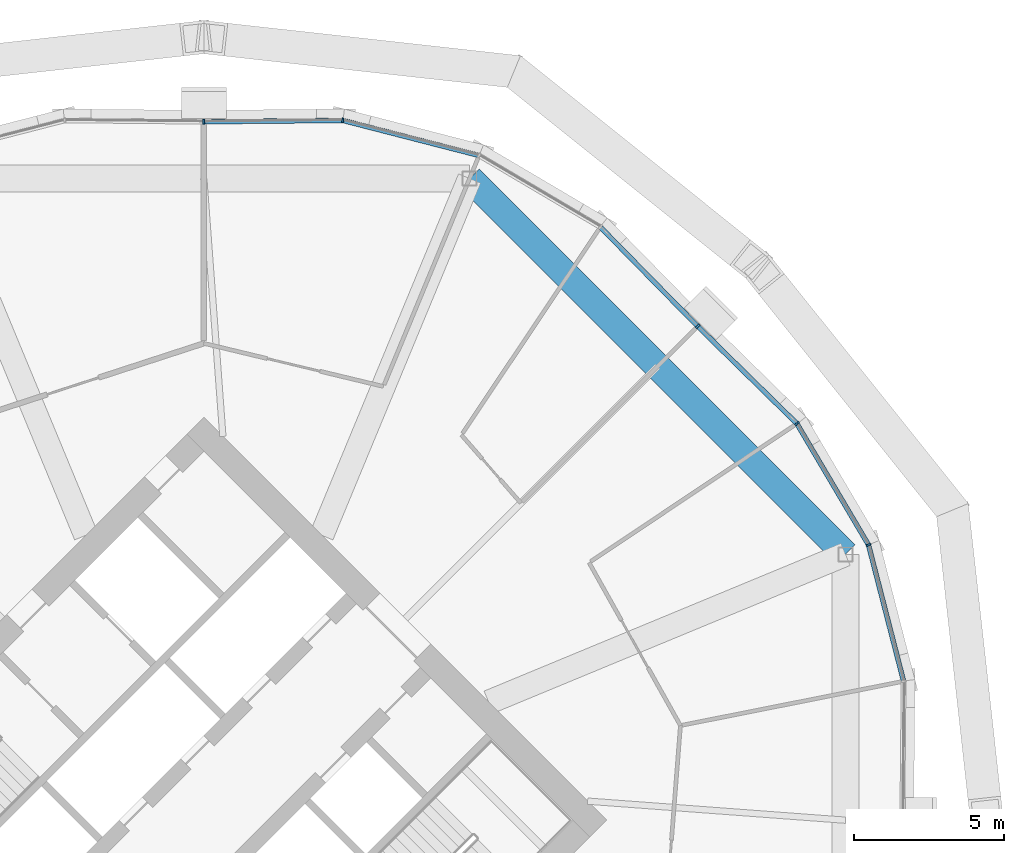
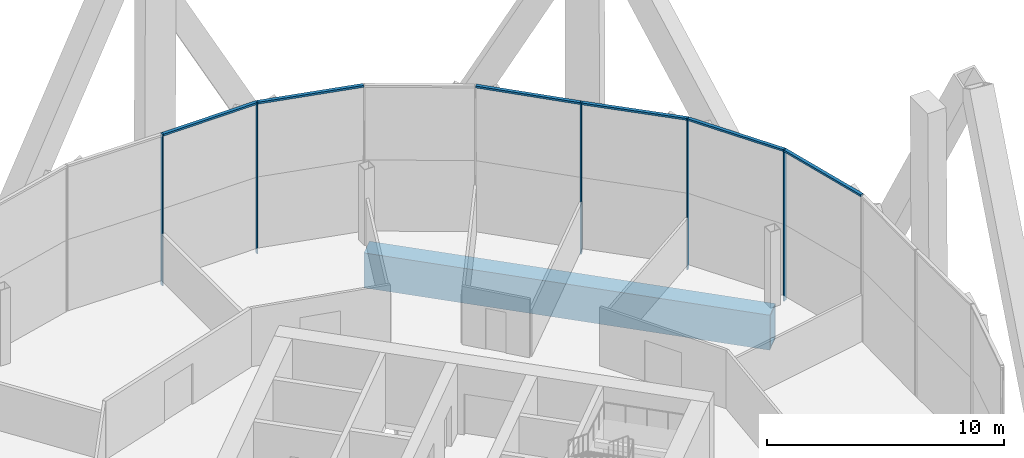
# One storey, part 16 of 30: 11 members, 1 beam, 2 elements without a shape of their own.
"""IFC4 building model written with IfcOpenShell, lengths in metres."""

from ifc_helpers import new_model, si_unit, direction, frame, origin, origin_2d, place, context, subcontext, project, spatial, rectangle, hollow_rectangle, extrude, material, material_profile, profile_set, type_object, element, aggregate, save


model = new_model("IFC4")

# Units and contexts
model_context = context("Model", 3, precision=1e-05, world=origin(), true_north=direction((0.0, 1.0)))
body_context = subcontext(model_context, "Body", "Model", "MODEL_VIEW")
ifc_project = project(units=[si_unit("LENGTHUNIT", "METRE"), si_unit("AREAUNIT", "SQUARE_METRE"), si_unit("VOLUMEUNIT", "CUBIC_METRE"), si_unit("PLANEANGLEUNIT", "RADIAN"), si_unit("MASSUNIT", "GRAM", prefix="KILO")], contexts=[model_context])

# Site, building, storey
site_placement = place(None, origin())
site = spatial("IfcSite", under=ifc_project, at=site_placement, CompositionType="ELEMENT")
building_placement = place(site_placement, origin())
building = spatial("IfcBuilding", under=site, at=building_placement, Name="Ogive Gate Towers", CompositionType="ELEMENT")
storey_placement = place(building_placement, frame((0.0, 0.0, 99.60009765625)))
storey = spatial("IfcBuildingStorey", under=building, at=storey_placement, Name="L23", CompositionType="ELEMENT", Elevation=99.60009765625)

# Beam
ifc_material_1 = material(Name="Steel SM460", Category="steel")
ifc_material_profile_1 = material_profile(ifc_material_1, hollow_rectangle(XDim=0.89990234375, YDim=1.800048828125, WallThickness=0.080078125, at=origin_2d()), Name="BX 1800x900x80")
ifc_profile_set_1 = profile_set([ifc_material_profile_1], Name="Steel SM460")
beam_type = type_object("IfcBeamType", Name="Edge girder BX 1800x900x80", PredefinedType="BEAM", material=ifc_profile_set_1)
beam_placement = place(storey_placement, frame((57.39697265625, 8.863037109375, -1.2001953125), z_axis=(-0.707106781187, 0.707106781187, 0.0), x_axis=(-0.707106781187, -0.707106781187, 0.0)))
element("IfcBeam", 1, at=beam_placement, inside=storey, type_object=beam_type, Name="T2/L23/SBM021", PredefinedType="BEAM", context=body_context, shape_type="SweptSolid", body=[
    extrude(hollow_rectangle(XDim=0.89990234375, YDim=1.800048828125, WallThickness=0.080078125, at=origin_2d()), origin(), (0.0, 0.0, 1.0), 17.7255859375),
])

# Curtain wall, members
ifc_material_2 = material(Name="Pale metal aluminium", Category="aluminium")
curtain_wall_type = type_object("IfcCurtainWallType", Name="Tower unitised wall, low zone", PredefinedType="NOTDEFINED", material=ifc_material_2)
curtain_wall_1_placement = place(storey_placement, origin())
curtain_wall_1 = element("IfcCurtainWall", 2, at=curtain_wall_1_placement, inside=storey, type_object=curtain_wall_type, Name="CW1 T2 ECW01", PredefinedType="NOTDEFINED")
ifc_material_profile_2 = material_profile(ifc_material_2, rectangle(XDim=0.159912109375, YDim=0.06005859375, at=origin_2d()), Name="60 x 160 aluminium box")
ifc_profile_set_2 = profile_set([ifc_material_profile_2], Name="Pale metal aluminium")
member_type_1 = type_object("IfcMemberType", Name="Tower unitised wall, low zone mullion 60 x 160", PredefinedType="MULLION", material=ifc_profile_set_2)
member_1_placement = place(storey_placement, frame((58.164794921875, 9.180908203125, -0.300048828125), z_axis=(0.0, 0.0, 1.0), x_axis=(0.923879532511, 0.382683432365, 0.0)))
member_1 = element("IfcMember", 3, at=member_1_placement, type_object=member_type_1, Name="CW1 mullion", PredefinedType="MULLION", context=body_context, shape_type="SweptSolid", body=[
    extrude(rectangle(XDim=0.159912109375, YDim=0.06005859375, at=origin_2d()), origin(), (0.0, 0.0, 1.0), 7.800048828125),
])
member_2_placement = place(storey_placement, frame((55.77783203125, 13.222412109375, -0.300048828125), z_axis=(0.0, 0.0, 1.0), x_axis=(0.787387121413, 0.616458855912, 0.0)))
member_2 = element("IfcMember", 4, at=member_2_placement, type_object=member_type_1, Name="CW1 mullion", PredefinedType="MULLION", context=body_context, shape_type="SweptSolid", body=[
    extrude(rectangle(XDim=0.159912109375, YDim=0.06005859375, at=origin_2d()), origin(), (0.0, 0.0, 1.0), 7.800048828125),
])
member_3_placement = place(storey_placement, frame((52.46875, 16.468505859375, -0.300048828125), z_axis=(0.0, 0.0, 1.0), x_axis=(0.700299028189, 0.713849613797, 0.0)))
member_3 = element("IfcMember", 5, at=member_3_placement, type_object=member_type_1, Name="CW1 mullion", PredefinedType="MULLION", context=body_context, shape_type="SweptSolid", body=[
    extrude(rectangle(XDim=0.159912109375, YDim=0.06005859375, at=origin_2d()), origin(), (0.0, 0.0, 1.0), 7.800048828125),
])

curtain_wall_2_placement = place(storey_placement, origin())
curtain_wall_2 = element("IfcCurtainWall", 6, at=curtain_wall_2_placement, inside=storey, type_object=curtain_wall_type, Name="CW1 T2 ECW02", PredefinedType="NOTDEFINED")
member_4_placement = place(storey_placement, frame((40.635498046875, 23.334716796875, -0.300048828125), z_axis=(0.0, 0.0, 1.0), x_axis=(0.120847210271, 0.992671119641, 0.0)))
member_4 = element("IfcMember", 7, at=member_4_placement, type_object=member_type_1, Name="CW1 mullion", PredefinedType="MULLION", context=body_context, shape_type="SweptSolid", body=[
    extrude(rectangle(XDim=0.159912109375, YDim=0.06005859375, at=origin_2d()), origin(), (0.0, 0.0, 1.0), 7.800048828125),
])
member_5_placement = place(storey_placement, frame((36.000244140625, 23.2900390625, -0.300048828125), z_axis=(0.0, 0.0, 1.0), x_axis=(-0.009599163462, 0.999953926969, 0.0)))
member_5 = element("IfcMember", 8, at=member_5_placement, type_object=member_type_1, Name="CW1 mullion", PredefinedType="MULLION", context=body_context, shape_type="SweptSolid", body=[
    extrude(rectangle(XDim=0.159912109375, YDim=0.06005859375, at=origin_2d()), origin(), (0.0, 0.0, 1.0), 7.800048828125),
])

# Member
ifc_material_profile_3 = material_profile(ifc_material_2, rectangle(XDim=0.159912109375, YDim=0.10009765625, at=origin_2d()), Name="100 x 160 aluminium box")
ifc_profile_set_3 = profile_set([ifc_material_profile_3], Name="Pale metal aluminium")
member_type_2 = type_object("IfcMemberType", Name="Tower unitised wall, low zone transom 100 x 160", PredefinedType="USERDEFINED", material=ifc_profile_set_3)
member_6_placement = place(storey_placement, frame((59.32763671875, 4.661865234375, 7.449951171875), z_axis=(-0.249241307087, 0.968441413221, 0.0), x_axis=(-0.968441413221, -0.249241307087, 0.0)))
member_6 = element("IfcMember", 9, at=member_6_placement, type_object=member_type_2, Name="CW1 transom", ObjectType="TRANSOM", PredefinedType="USERDEFINED", context=body_context, shape_type="SweptSolid", body=[
    extrude(rectangle(XDim=0.159912109375, YDim=0.10009765625, at=origin_2d()), origin(), (0.0, 0.0, 1.0), 4.63916015625),
])

member_7_placement = place(storey_placement, frame((58.15087890625, 9.204345703125, 7.449951171875), z_axis=(-0.508578598665, 0.861015568373, 0.0), x_axis=(-0.861015568373, -0.508578598665, 0.0)))
member_7 = element("IfcMember", 10, at=member_7_placement, type_object=member_type_2, Name="CW1 transom", ObjectType="TRANSOM", PredefinedType="USERDEFINED", context=body_context, shape_type="SweptSolid", body=[
    extrude(rectangle(XDim=0.159912109375, YDim=0.10009765625, at=origin_2d()), origin(), (0.0, 0.0, 1.0), 4.63916015625),
])

member_8_placement = place(storey_placement, frame((55.75830078125, 13.241455078125, 7.449951171875), z_axis=(-0.71387313872, 0.70027504726, 0.0), x_axis=(-0.70027504726, -0.71387313872, 0.0)))
member_8 = element("IfcMember", 11, at=member_8_placement, type_object=member_type_2, Name="CW1 transom", ObjectType="TRANSOM", PredefinedType="USERDEFINED", context=body_context, shape_type="SweptSolid", body=[
    extrude(rectangle(XDim=0.159912109375, YDim=0.10009765625, at=origin_2d()), origin(), (0.0, 0.0, 1.0), 4.578369140625),
])

aggregate(curtain_wall_1, [member_1, member_6, member_2, member_7, member_3, member_8])

member_9_placement = place(storey_placement, frame((52.447509765625, 16.489990234375, 7.449951171875), z_axis=(-0.70027504726, 0.71387313872, 0.0), x_axis=(-0.71387313872, -0.70027504726, 0.0)))
member_9 = element("IfcMember", 12, at=member_9_placement, type_object=member_type_2, Name="CW1 transom", ObjectType="TRANSOM", PredefinedType="USERDEFINED", context=body_context, shape_type="SweptSolid", body=[
    extrude(rectangle(XDim=0.159912109375, YDim=0.10009765625, at=origin_2d()), origin(), (0.0, 0.0, 1.0), 4.578369140625),
])

member_10_placement = place(storey_placement, frame((45.154541015625, 22.17138671875, 7.449951171875), z_axis=(-0.968441413221, 0.249241307087, 0.0), x_axis=(-0.249241307087, -0.968441413221, 0.0)))
member_10 = element("IfcMember", 13, at=member_10_placement, type_object=member_type_2, Name="CW1 transom", ObjectType="TRANSOM", PredefinedType="USERDEFINED", context=body_context, shape_type="SweptSolid", body=[
    extrude(rectangle(XDim=0.159912109375, YDim=0.10009765625, at=origin_2d()), origin(), (0.0, 0.0, 1.0), 4.63916015625),
])

member_11_placement = place(storey_placement, frame((40.60791015625, 23.334228515625, 7.449951171875), z_axis=(-0.999953923185, -0.009599557663, 0.0), x_axis=(0.009599557663, -0.999953923185, 0.0)))
member_11 = element("IfcMember", 14, at=member_11_placement, type_object=member_type_2, Name="CW1 transom", ObjectType="TRANSOM", PredefinedType="USERDEFINED", context=body_context, shape_type="SweptSolid", body=[
    extrude(rectangle(XDim=0.159912109375, YDim=0.10009765625, at=origin_2d()), origin(), (0.0, 0.0, 1.0), 4.577880859375),
])

aggregate(curtain_wall_2, [member_9, member_4, member_10, member_5, member_11])

save(model, "model.ifc")
